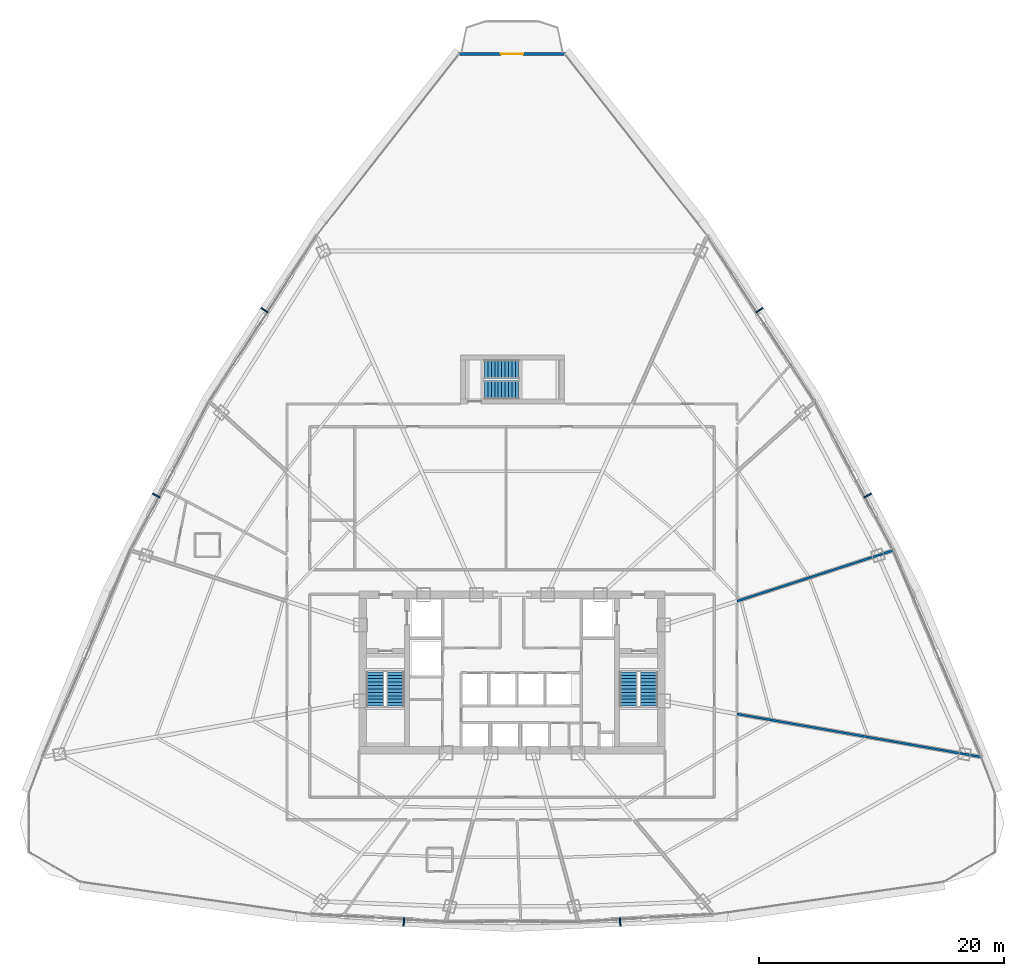
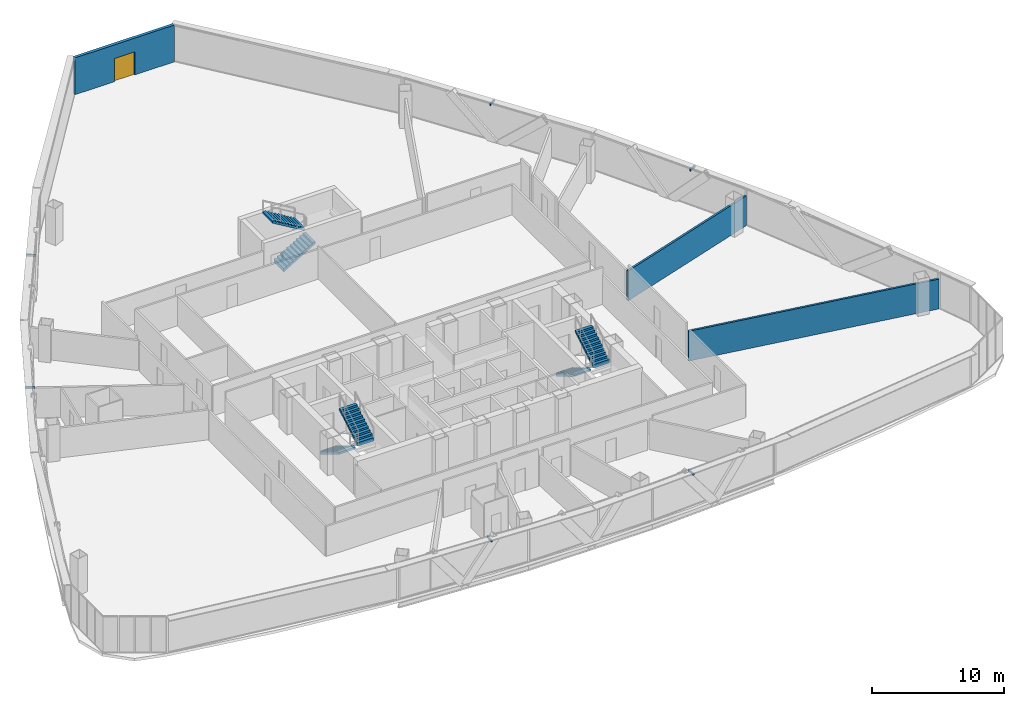
# One storey, part 38 of 42: 6 discrete accessories, 6 stair flights, 3 walls, 1 door, 1 opening, 3 elements without a shape of their own.
"""IFC4 building model written with IfcOpenShell, lengths in metres."""

from ifc_helpers import new_model, si_unit, direction, frame, frame_2d, origin, origin_with_axes, origin_2d, place, context, subcontext, project, spatial, polyline, rectangle, outline, extrude, source, transform, mapped, material, layer, layer_set, type_object, element, fill, aggregate, save


model = new_model("IFC4")

# Units and contexts
model_context = context("Model", 3, precision=1e-05, world=origin(), true_north=direction((0.0, 1.0)))
body_context = subcontext(model_context, "Body", "Model", "MODEL_VIEW")
ifc_project = project(units=[si_unit("LENGTHUNIT", "METRE"), si_unit("AREAUNIT", "SQUARE_METRE"), si_unit("VOLUMEUNIT", "CUBIC_METRE"), si_unit("PLANEANGLEUNIT", "RADIAN"), si_unit("MASSUNIT", "GRAM", prefix="KILO"), si_unit("THERMODYNAMICTEMPERATUREUNIT", "KELVIN"), si_unit("POWERUNIT", "WATT")], contexts=[model_context])

# Site, building, storey
site_placement = place(None, origin())
site = spatial("IfcSite", under=ifc_project, at=site_placement, CompositionType="ELEMENT")
building_placement = place(site_placement, origin())
building = spatial("IfcBuilding", under=site, at=building_placement, Name="Yunzhuo Pagoda Commons", CompositionType="ELEMENT")
storey_placement = place(building_placement, frame((0.0, 0.0, 151.909912109375)))
storey = spatial("IfcBuildingStorey", under=building, at=storey_placement, Name="L38", CompositionType="ELEMENT", Elevation=151.909912109375)

# Wall, opening, door
ifc_material_1 = material(Name="Precast concrete C40", Category="concrete")
ifc_layer_1 = layer(ifc_material_1, 0.260009765625)
ifc_layer_set_1 = layer_set([ifc_layer_1], Name="Precast concrete C40")
wall_type_1 = type_object("IfcWallType", Name="W-BAL1 Corner Balcony Threshold Wall 260", PredefinedType="STANDARD", material=ifc_layer_set_1)
wall_1_placement = place(storey_placement, frame((52.370849609375, 84.4130859375, 0.0), z_axis=(0.0, 0.0, 1.0), x_axis=(-1.0, 0.0, 0.0)))
wall_1 = element("IfcWall", 1, at=wall_1_placement, inside=storey, type_object=wall_type_1, Name="L38 corner balcony wall V3", PredefinedType="STANDARD", context=body_context, shape_type="SweptSolid", body=[
    extrude(rectangle(XDim=8.74169921875, YDim=0.260009765625, at=frame_2d((4.370849609375, 0.0))), origin(), (0.0, 0.0, 1.0), 3.420166015625),
])
opening_placement = place(wall_1_placement, frame((3.470703125, 0.0, 0.0)))
opening = element("IfcOpeningElement", 2, at=opening_placement, cuts=wall_1, Name="Opening D-BAL1", PredefinedType="OPENING", context=body_context, shape_type="SweptSolid", body=[
    extrude(rectangle(XDim=1.800048828125, YDim=2.14990234375, at=frame_2d((0.89990234375, 1.074951171875))), frame((0.0, 0.14013671875, 0.0), z_axis=(0.0, -1.0, 0.0), x_axis=(1.0, 0.0, 0.0)), (0.0, 0.0, 1.0), 0.280029296875),
])
ifc_material_2 = material(Name="Anodized aluminium frame and tempered glazed leaf", Category="aluminium")
door_type = type_object("IfcDoorType", Name="D-BAL1 Corner Balcony Sliding Glazed Door 1800x2150", OperationType="DOUBLE_DOOR_SLIDING", PredefinedType="DOOR", material=ifc_material_2)
shared_shape_1 = source(origin(), body_context, "Body", "SweptSolid", [
    extrude(rectangle(XDim=1.800048828125, YDim=2.14990234375, at=frame_2d((0.89990234375, 1.074951171875))), frame((0.0, 0.02490234375, 0.0), z_axis=(0.0, -1.0, 0.0), x_axis=(1.0, 0.0, 0.0)), (0.0, 0.0, 1.0), 0.050048828125),
])
door_placement = place(opening_placement, origin_with_axes())
door = element("IfcDoor", 3, at=door_placement, inside=storey, type_object=door_type, Name="L38 corner balcony sliding door V3", OperationType="DOUBLE_DOOR_SLIDING", OverallHeight=2.14990234375, OverallWidth=1.800048828125, PredefinedType="DOOR", context=body_context, shape_type="MappedRepresentation", body=[
    mapped(shared_shape_1, transform((0.0, 0.0, 0.0), scale=1.0)),
])
fill(opening, door)

# Walls
ifc_material_3 = material(Name="Gypsum plasterboard on acoustic stud")
ifc_layer_2 = layer(ifc_material_3, 0.175048828125)
ifc_layer_set_2 = layer_set([ifc_layer_2], Name="Gypsum plasterboard on acoustic stud")
wall_type_2 = type_object("IfcWallType", Name="W-PRT3 Mid-Zone Demising Wall 175", PredefinedType="PARTITIONING", material=ifc_layer_set_2)
wall_2_placement = place(storey_placement, frame((66.39990234375, 39.678466796875, 0.0), z_axis=(0.0, 0.0, 1.0), x_axis=(0.951059027278, 0.309009266259, 0.0)))
element("IfcWall", 4, at=wall_2_placement, inside=storey, type_object=wall_type_2, Name="L38 interior wall IW-L38-RAD01", PredefinedType="PARTITIONING", context=body_context, shape_type="SweptSolid", body=[
    extrude(rectangle(XDim=13.440673828125, YDim=0.175048828125, at=frame_2d((6.72021484375, 0.0))), origin(), (0.0, 0.0, 1.0), 2.77001953125),
])
wall_3_placement = place(storey_placement, frame((66.39990234375, 30.45556640625, 0.0), z_axis=(0.0, 0.0, 1.0), x_axis=(0.98480815319, -0.173645908133, 0.0)))
element("IfcWall", 5, at=wall_3_placement, inside=storey, type_object=wall_type_2, Name="L38 interior wall IW-L38-RAD13", PredefinedType="PARTITIONING", context=body_context, shape_type="SweptSolid", body=[
    extrude(rectangle(XDim=20.2783203125, YDim=0.175048828125, at=frame_2d((10.13916015625, 0.0))), origin(), (0.0, 0.0, 1.0), 2.77001953125),
])

# Stair, stair flights
ifc_material_4 = material(Name="Concrete C40", Category="concrete")
stair_type_1 = type_object("IfcStairType", Name="ST-C1 Core Smokeproof Stair ST1", PredefinedType="HALF_TURN_STAIR", material=ifc_material_4)
stair_1_placement = place(storey_placement, origin())
stair_1 = element("IfcStair", 6, at=stair_1_placement, inside=storey, type_object=stair_type_1, Name="L38 Core smokeproof stair ST1", PredefinedType="HALF_TURN_STAIR")
stair_flight_type_1 = type_object("IfcStairFlightType", Name="STF-C1 Core Stair Flight 1450", PredefinedType="STRAIGHT", material=ifc_material_4)
shared_shape_2 = source(origin(), body_context, "Body", "SweptSolid", [
    extrude(outline(polyline([(0.0, -0.14990234375), (0.0, 0.0), (0.0, 0.167236328125), (0.280029296875, 0.167236328125), (0.280029296875, 0.33447265625), (0.56005859375, 0.33447265625), (0.56005859375, 0.501708984375), (0.840087890625, 0.501708984375), (0.840087890625, 0.669189453125), (1.1201171875, 0.669189453125), (1.1201171875, 0.83642578125), (1.39990234375, 0.83642578125), (1.39990234375, 1.003662109375), (1.679931640625, 1.003662109375), (1.679931640625, 1.1708984375), (1.9599609375, 1.1708984375), (1.9599609375, 1.338134765625), (2.239990234375, 1.338134765625), (2.239990234375, 1.50537109375), (2.52001953125, 1.50537109375), (2.52001953125, 1.672607421875), (2.800048828125, 1.672607421875), (2.800048828125, 1.840087890625), (2.800048828125, 1.498046875), (0.292236328125, 0.0), (0.050048828125, -0.14990234375), (0.0, -0.14990234375)])), frame((0.0, 0.72509765625, 0.0), z_axis=(0.0, -1.0, 0.0), x_axis=(1.0, 0.0, 0.0)), (0.0, 0.0, 1.0), 1.449951171875),
])
stair_flight_1_placement = place(storey_placement, frame((36.824951171875, 33.89990234375, 0.0), z_axis=(0.0, 0.0, 1.0), x_axis=(0.0, -1.0, 0.0)))
stair_flight_1 = element("IfcStairFlight", 7, at=stair_flight_1_placement, type_object=stair_flight_type_1, Name="ST1 flight 1", NumberOfRisers=11, NumberOfTreads=10, PredefinedType="STRAIGHT", RiserHeight=0.167272727, TreadLength=0.28, context=body_context, shape_type="MappedRepresentation", body=[
    mapped(shared_shape_2, transform((0.0, 0.0, 0.0), scale=1.0)),
])
stair_flight_2_placement = place(storey_placement, frame((38.47509765625, 31.10009765625, 1.840087890625), z_axis=(0.0, 0.0, 1.0), x_axis=(0.0, 1.0, 0.0)))
stair_flight_2 = element("IfcStairFlight", 8, at=stair_flight_2_placement, type_object=stair_flight_type_1, Name="ST1 flight 2", NumberOfRisers=11, NumberOfTreads=10, PredefinedType="STRAIGHT", RiserHeight=0.167272727, TreadLength=0.28, context=body_context, shape_type="MappedRepresentation", body=[
    mapped(shared_shape_2, transform((0.0, 0.0, 0.0), scale=1.0)),
])
aggregate(stair_1, [stair_flight_1, stair_flight_2])

stair_type_2 = type_object("IfcStairType", Name="ST-C2 Core Smokeproof Stair ST2", PredefinedType="HALF_TURN_STAIR", material=ifc_material_4)
stair_2_placement = place(storey_placement, origin())
stair_2 = element("IfcStair", 9, at=stair_2_placement, inside=storey, type_object=stair_type_2, Name="L38 Core smokeproof stair ST2", PredefinedType="HALF_TURN_STAIR")
stair_flight_type_2 = type_object("IfcStairFlightType", Name="STF-C2 Core Stair Flight 1460", PredefinedType="STRAIGHT", material=ifc_material_4)
stair_flight_3_placement = place(storey_placement, frame((57.52490234375, 33.89990234375, 0.0), z_axis=(0.0, 0.0, 1.0), x_axis=(0.0, -1.0, 0.0)))
stair_flight_3 = element("IfcStairFlight", 10, at=stair_flight_3_placement, type_object=stair_flight_type_2, Name="ST2 flight 1", NumberOfRisers=11, NumberOfTreads=10, PredefinedType="STRAIGHT", RiserHeight=0.167272727, TreadLength=0.28, context=body_context, shape_type="MappedRepresentation", body=[
    mapped(shared_shape_2, transform((0.0, 0.0, 0.0), scale=1.0)),
])
stair_flight_4_placement = place(storey_placement, frame((59.175048828125, 31.10009765625, 1.840087890625), z_axis=(0.0, 0.0, 1.0), x_axis=(0.0, 1.0, 0.0)))
stair_flight_4 = element("IfcStairFlight", 11, at=stair_flight_4_placement, type_object=stair_flight_type_2, Name="ST2 flight 2", NumberOfRisers=11, NumberOfTreads=10, PredefinedType="STRAIGHT", RiserHeight=0.167272727, TreadLength=0.28, context=body_context, shape_type="MappedRepresentation", body=[
    mapped(shared_shape_2, transform((0.0, 0.0, 0.0), scale=1.0)),
])
aggregate(stair_2, [stair_flight_3, stair_flight_4])

stair_type_3 = type_object("IfcStairType", Name="ST-C3 North Tower Smokeproof Stair ST3", PredefinedType="HALF_TURN_STAIR", material=ifc_material_4)
stair_3_placement = place(storey_placement, origin())
stair_3 = element("IfcStair", 12, at=stair_3_placement, inside=storey, type_object=stair_type_3, Name="L38 North tower smokeproof stair ST3", PredefinedType="HALF_TURN_STAIR")
stair_flight_type_3 = type_object("IfcStairFlightType", Name="STF-C3 North Stair Flight 1500", PredefinedType="STRAIGHT", material=ifc_material_4)
shared_shape_3 = source(origin(), body_context, "Body", "SweptSolid", [
    extrude(outline(polyline([(0.0, -0.14990234375), (0.0, 0.0), (0.0, 0.167236328125), (0.280029296875, 0.167236328125), (0.280029296875, 0.33447265625), (0.56005859375, 0.33447265625), (0.56005859375, 0.501708984375), (0.840087890625, 0.501708984375), (0.840087890625, 0.669189453125), (1.1201171875, 0.669189453125), (1.1201171875, 0.83642578125), (1.39990234375, 0.83642578125), (1.39990234375, 1.003662109375), (1.679931640625, 1.003662109375), (1.679931640625, 1.1708984375), (1.9599609375, 1.1708984375), (1.9599609375, 1.338134765625), (2.239990234375, 1.338134765625), (2.239990234375, 1.50537109375), (2.52001953125, 1.50537109375), (2.52001953125, 1.672607421875), (2.800048828125, 1.672607421875), (2.800048828125, 1.840087890625), (2.800048828125, 1.498046875), (0.292236328125, 0.0), (0.050048828125, -0.14990234375), (0.0, -0.14990234375)])), frame((0.0, 0.75, 0.0), z_axis=(0.0, -1.0, 0.0), x_axis=(1.0, 0.0, 0.0)), (0.0, 0.0, 1.0), 1.5),
])
stair_flight_5_placement = place(storey_placement, frame((45.75, 56.949951171875, 0.0), z_axis=(0.0, 0.0, 1.0), x_axis=(1.0, 0.0, 0.0)))
stair_flight_5 = element("IfcStairFlight", 13, at=stair_flight_5_placement, type_object=stair_flight_type_3, Name="ST3 flight 1", NumberOfRisers=11, NumberOfTreads=10, PredefinedType="STRAIGHT", RiserHeight=0.167272727, TreadLength=0.28, context=body_context, shape_type="MappedRepresentation", body=[
    mapped(shared_shape_3, transform((0.0, 0.0, 0.0), scale=1.0)),
])
stair_flight_6_placement = place(storey_placement, frame((48.550048828125, 58.64990234375, 1.840087890625), z_axis=(0.0, 0.0, 1.0), x_axis=(-1.0, 0.0, 0.0)))
stair_flight_6 = element("IfcStairFlight", 14, at=stair_flight_6_placement, type_object=stair_flight_type_3, Name="ST3 flight 2", NumberOfRisers=11, NumberOfTreads=10, PredefinedType="STRAIGHT", RiserHeight=0.167272727, TreadLength=0.28, context=body_context, shape_type="MappedRepresentation", body=[
    mapped(shared_shape_3, transform((0.0, 0.0, 0.0), scale=1.0)),
])
aggregate(stair_3, [stair_flight_5, stair_flight_6])

# Discrete accessories
ifc_material_5 = material(Name="Anodized aluminium 6063-T6", Category="aluminium")
discrete_accessory_type = type_object("IfcDiscreteAccessoryType", Name="BK-SUN1 Sunshade Outrigger Bracket", PredefinedType="BRACKET", material=ifc_material_5)
shared_shape_4 = source(origin(), body_context, "Body", "SweptSolid", [
    extrude(rectangle(XDim=0.1201171875, YDim=0.679931640625, at=origin_2d()), origin(), (0.0, 0.0, 1.0), 0.179931640625),
])
for number, where, z_axis, x_axis, name in (
    (15, (39.15576171875, 13.44482421875, 3.2099609375), (0.0, 0.0, 1.0), (0.998818043775, -0.04860571396, 0.0), "L38 sunshade outrigger bracket F1.2"),
    (16, (56.84423828125, 13.44482421875, 3.2099609375), (0.0, 0.0, 1.0), (0.998818043775, 0.04860571396, 0.0), "L38 sunshade outrigger bracket F1.3"),
    (17, (77.08349609375, 48.316162109375, 3.2099609375), (0.0, 0.0, 1.0), (-0.461206683033, 0.88729273384, 0.0), "L38 sunshade outrigger bracket F2.2"),
    (18, (68.239013671875, 63.467529296875, 3.2099609375), (0.0, 0.0, 1.0), (-0.545838756973, 0.837890238269, 0.0), "L38 sunshade outrigger bracket F2.3"),
    (19, (27.760986328125, 63.467529296875, 3.2099609375), (0.0, 0.0, 1.0), (-0.545838756973, -0.837890238269, 0.0), "L38 sunshade outrigger bracket F3.2"),
    (20, (18.91650390625, 48.316162109375, 3.2099609375), (0.0, 0.0, 1.0), (-0.461206683033, -0.88729273384, 0.0), "L38 sunshade outrigger bracket F3.3"),
):
    element("IfcDiscreteAccessory", number, at=place(storey_placement, frame(where, z_axis=z_axis, x_axis=x_axis)), inside=storey, type_object=discrete_accessory_type, Name=name, PredefinedType="BRACKET", context=body_context, shape_type="MappedRepresentation", body=[
        mapped(shared_shape_4, transform((0.0, 0.0, 0.0), scale=1.0)),
    ])

save(model, "model.ifc")
